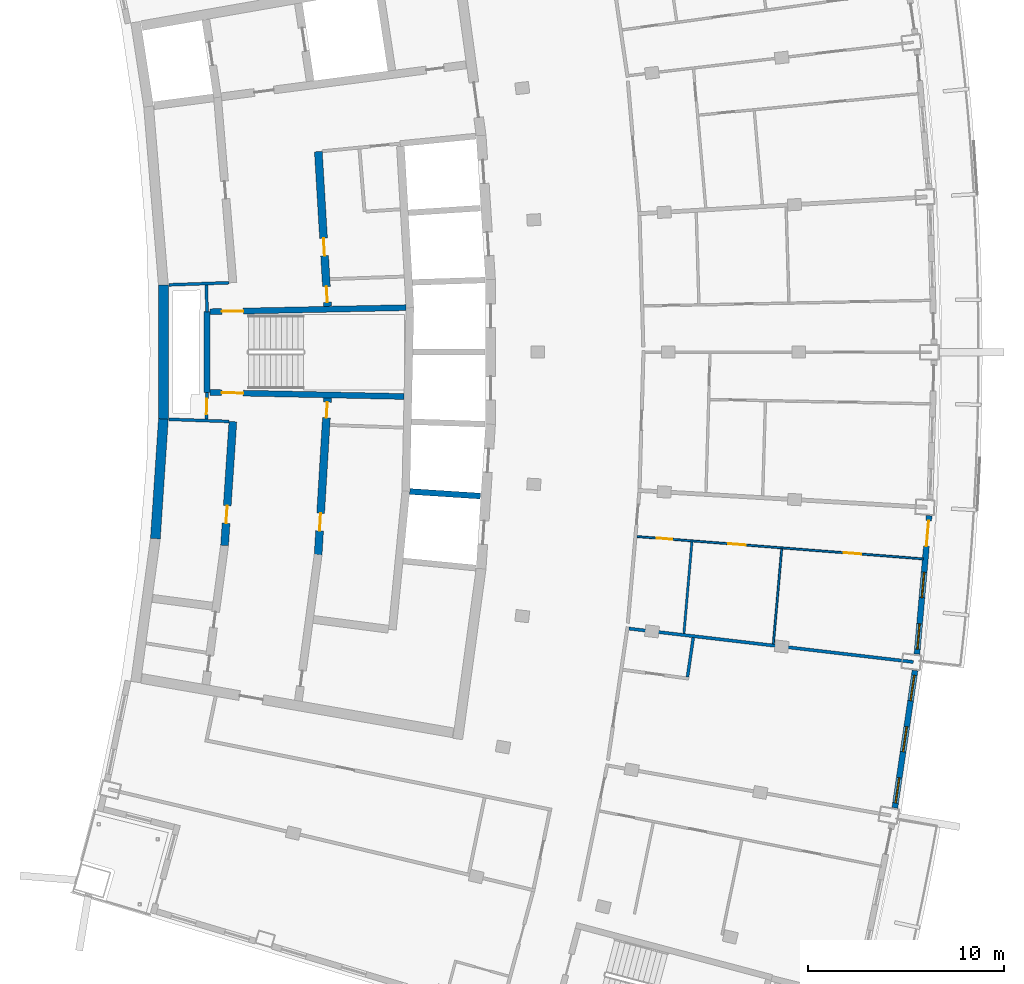
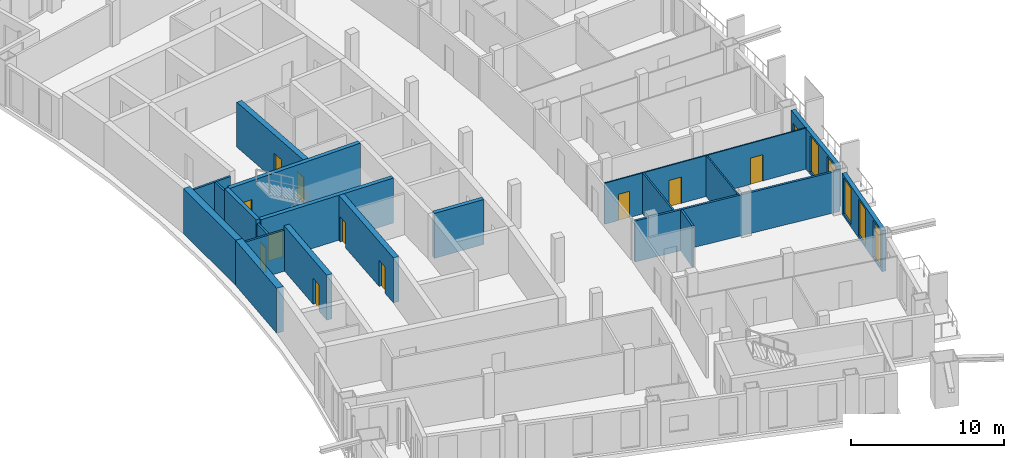
# One storey, part 7 of 15: 20 walls, 12 doors, 5 windows, 17 openings.
"""IFC4 building model written with IfcOpenShell, lengths in metres."""

from ifc_helpers import new_model, si_unit, direction, frame, frame_2d, origin, place, context, subcontext, project, spatial, rectangle, extrude, material, layer, layer_set, type_object, element, fill, save


model = new_model("IFC4")

# Units and contexts
model_context = context("Model", 3, precision=1e-05, world=origin(), true_north=direction((0.0, 1.0)))
body_context = subcontext(model_context, "Body", "Model", "MODEL_VIEW")
ifc_project = project(units=[si_unit("LENGTHUNIT", "METRE"), si_unit("AREAUNIT", "SQUARE_METRE"), si_unit("VOLUMEUNIT", "CUBIC_METRE"), si_unit("PLANEANGLEUNIT", "RADIAN"), si_unit("MASSUNIT", "GRAM", prefix="KILO")], contexts=[model_context])

# Site, building, storey
site_placement = place(None, origin())
site = spatial("IfcSite", under=ifc_project, at=site_placement, CompositionType="ELEMENT")
building_placement = place(site_placement, origin())
building = spatial("IfcBuilding", under=site, at=building_placement, Name="Alderwake Tower", CompositionType="ELEMENT")
storey_placement = place(building_placement, frame((0.0, 0.0, 285.199951171875)))
storey = spatial("IfcBuildingStorey", under=building, at=storey_placement, Name="L71", CompositionType="ELEMENT", Elevation=285.199951171875)

# Wall, opening, door
ifc_material_1 = material(Name="Gypsum shaft wall system, rated")
ifc_layer_1 = layer(ifc_material_1, 0.14990234375)
ifc_layer_set_1 = layer_set([ifc_layer_1], Name="Core room partition 150")
wall_type_1 = type_object("IfcWallType", Name="Core room partition 150", PredefinedType="PARTITIONING", material=ifc_layer_set_1)
wall_1_placement = place(storey_placement, frame((18.918701171875, 58.94384765625, 0.0), z_axis=(0.0, 0.0, 1.0), x_axis=(-0.027811602725, -0.999613182563, 0.0)))
wall_1 = element("IfcWall", 1, at=wall_1_placement, inside=storey, type_object=wall_type_1, Name="CW/L71/PA+24_-37", PredefinedType="PARTITIONING", context=body_context, shape_type="SweptSolid", body=[
    extrude(rectangle(XDim=1.369384765625, YDim=0.14990234375, at=frame_2d((0.6845703125, 0.0))), origin(), (0.0, 0.0, 1.0), 3.280029296875),
])
opening_1_placement = place(wall_1_placement, frame((0.322998046875, 0.0, 0.0)))
opening_1 = element("IfcOpeningElement", 2, at=opening_1_placement, cuts=wall_1, Name="Opening C004", PredefinedType="OPENING", context=body_context, shape_type="SweptSolid", body=[
    extrude(rectangle(XDim=0.800048828125, YDim=2.0, at=frame_2d((0.39990234375, 1.0))), frame((0.0, 0.0849609375, 0.0), z_axis=(0.0, -1.0, 0.0), x_axis=(1.0, 0.0, 0.0)), (0.0, 0.0, 1.0), 0.169921875),
])
ifc_material_2 = material(Name="Painted steel leaf, rated", Category="steel")
door_type_1 = type_object("IfcDoorType", Name="Riser access door 800", OperationType="SINGLE_SWING_LEFT", PredefinedType="DOOR", material=ifc_material_2)
door_1_placement = place(opening_1_placement, origin())
door_1 = element("IfcDoor", 3, at=door_1_placement, inside=storey, type_object=door_type_1, Name="Riser access door", OperationType="SINGLE_SWING_RIGHT", OverallHeight=2.0, OverallWidth=0.800048828125, PredefinedType="DOOR", context=body_context, shape_type="SweptSolid", body=[
    extrude(rectangle(XDim=0.800048828125, YDim=2.0, at=frame_2d((0.39990234375, 1.0))), frame((0.0, 0.02490234375, 0.0), z_axis=(0.0, -1.0, 0.0), x_axis=(1.0, 0.0, 0.0)), (0.0, 0.0, 1.0), 0.050048828125),
])
fill(opening_1, door_1)

# Walls
wall_2_placement = place(storey_placement, frame((18.918701171875, 63.05517578125, 0.0), z_axis=(0.0, 0.0, 1.0), x_axis=(-0.027791791559, 0.99961373356, 0.0)))
element("IfcWall", 4, at=wall_2_placement, inside=storey, type_object=wall_type_1, Name="CW/L71/PA+24_+22", PredefinedType="PARTITIONING", context=body_context, shape_type="SweptSolid", body=[
    extrude(rectangle(XDim=1.370361328125, YDim=0.14990234375, at=frame_2d((0.68505859375, 0.0))), origin(), (0.0, 0.0, 1.0), 3.280029296875),
])
for number, where, z_axis, x_axis, name in (
    (5, (16.969482421875, 57.5673828125, 0.0), (0.0, 0.0, 1.0), (0.999376258731, -0.035314210814, 0.0), "CW/L71/PR-37_+0"),
    (6, (16.969482421875, 64.4326171875, 0.0), (0.0, 0.0, 1.0), (0.999376258731, 0.035314210814, 0.0), "CW/L71/PR+37_+0"),
):
    element("IfcWall", number, at=place(storey_placement, frame(where, z_axis=z_axis, x_axis=x_axis)), inside=storey, type_object=wall_type_1, Name=name, PredefinedType="PARTITIONING", context=body_context, shape_type="SweptSolid", body=[
        extrude(rectangle(XDim=3.069580078125, YDim=0.14990234375, at=frame_2d((1.53466796875, 0.0))), origin(), (0.0, 0.0, 1.0), 3.280029296875),
    ])
ifc_material_3 = material(Name="Concrete C70/85", Category="concrete")
ifc_layer_2 = layer(ifc_material_3, 0.5)
ifc_layer_set_2 = layer_set([ifc_layer_2], Name="Core wall outer 500 C70-85")
wall_type_2 = type_object("IfcWallType", Name="Core wall outer 500 C70-85", PredefinedType="SHEAR", material=ifc_layer_set_2)
wall_3_placement = place(storey_placement, frame((16.280517578125, 51.4765625, 0.0), z_axis=(0.0, 0.0, 1.0), x_axis=(0.066863022947, 0.997762164127, 0.0)))
element("IfcWall", 7, at=wall_3_placement, inside=storey, type_object=wall_type_2, Name="Core wall CW.027", PredefinedType="SHEAR", context=body_context, shape_type="SweptSolid", body=[
    extrude(rectangle(XDim=6.123291015625, YDim=0.5, at=frame_2d((3.0615234375, 0.0))), origin(), (0.0, 0.0, 1.0), 3.60009765625),
])
wall_4_placement = place(storey_placement, frame((16.689453125, 57.568603515625, 0.0), z_axis=(0.0, 0.0, 1.0), x_axis=(0.0, 1.0, 0.0)))
element("IfcWall", 8, at=wall_4_placement, inside=storey, type_object=wall_type_2, Name="Core wall CW.029", PredefinedType="SHEAR", context=body_context, shape_type="SweptSolid", body=[
    extrude(rectangle(XDim=6.86474609375, YDim=0.5, at=frame_2d((3.432373046875, 0.0))), origin(), (0.0, 0.0, 1.0), 3.60009765625),
])
ifc_material_4 = material(Name="Concrete C70/85", Category="concrete")
ifc_layer_3 = layer(ifc_material_4, 0.300048828125)
ifc_layer_set_3 = layer_set([ifc_layer_3], Name="Core wall shaft 300 C70-85")
wall_type_3 = type_object("IfcWallType", Name="Core wall shaft 300 C70-85", PredefinedType="SHEAR", material=ifc_layer_set_3)
wall_5_placement = place(storey_placement, frame((29.268798828125, 53.884521484375, 0.0), z_axis=(0.0, 0.0, 1.0), x_axis=(0.997885735437, -0.064992761217, 0.0)))
element("IfcWall", 9, at=wall_5_placement, inside=storey, type_object=wall_type_3, Name="Core wall CW.078", PredefinedType="SHEAR", context=body_context, shape_type="SweptSolid", body=[
    extrude(rectangle(XDim=3.60986328125, YDim=0.300048828125, at=frame_2d((1.804931640625, 0.0))), origin(), (0.0, 0.0, 1.0), 3.60009765625),
])

# Wall, opening, door
ifc_material_5 = material(Name="Concrete C70/85", Category="concrete")
ifc_layer_4 = layer(ifc_material_5, 0.39990234375)
ifc_layer_set_4 = layer_set([ifc_layer_4], Name="Core wall spine 400 C70-85")
wall_type_4 = type_object("IfcWallType", Name="Core wall spine 400 C70-85", PredefinedType="SHEAR", material=ifc_layer_set_4)
wall_6_placement = place(storey_placement, frame((20.2373046875, 57.451904296875, 0.0), z_axis=(0.0, 0.0, 1.0), x_axis=(-0.066884681503, -0.997760712486, 0.0)))
wall_6 = element("IfcWall", 10, at=wall_6_placement, inside=storey, type_object=wall_type_4, Name="Core wall CW.032", PredefinedType="SHEAR", context=body_context, shape_type="SweptSolid", body=[
    extrude(rectangle(XDim=6.336669921875, YDim=0.39990234375, at=frame_2d((3.16845703125, 0.0))), origin(), (0.0, 0.0, 1.0), 3.60009765625),
])
opening_2_placement = place(wall_6_placement, frame((4.29736328125, 0.0, 0.0)))
opening_2 = element("IfcOpeningElement", 11, at=opening_2_placement, cuts=wall_6, Name="Opening C037", PredefinedType="OPENING", context=body_context, shape_type="SweptSolid", body=[
    extrude(rectangle(XDim=0.89990234375, YDim=2.10009765625, at=frame_2d((0.449951171875, 1.050048828125))), frame((0.0, 0.2099609375, 0.0), z_axis=(0.0, -1.0, 0.0), x_axis=(1.0, 0.0, 0.0)), (0.0, 0.0, 1.0), 0.419921875),
])
ifc_material_6 = material(Name="Painted steel leaf", Category="steel")
door_type_2 = type_object("IfcDoorType", Name="Core room door 900", OperationType="SINGLE_SWING_LEFT", PredefinedType="DOOR", material=ifc_material_6)
door_2_placement = place(opening_2_placement, origin())
door_2 = element("IfcDoor", 12, at=door_2_placement, inside=storey, type_object=door_type_2, Name="Room door", OperationType="SINGLE_SWING_RIGHT", OverallHeight=2.10009765625, OverallWidth=0.89990234375, PredefinedType="DOOR", context=body_context, shape_type="SweptSolid", body=[
    extrude(rectangle(XDim=0.89990234375, YDim=2.10009765625, at=frame_2d((0.449951171875, 1.050048828125))), frame((0.0, 0.02490234375, 0.0), z_axis=(0.0, -1.0, 0.0), x_axis=(1.0, 0.0, 0.0)), (0.0, 0.0, 1.0), 0.050048828125),
])
fill(opening_2, door_2)

# Wall, openings, doors
wall_7_placement = place(storey_placement, frame((24.590087890625, 50.65673828125, 0.0), z_axis=(0.0, 0.0, 1.0), x_axis=(0.060318641452, 0.998179173041, 0.0)))
wall_7 = element("IfcWall", 13, at=wall_7_placement, inside=storey, type_object=wall_type_4, Name="Core wall CW.046", PredefinedType="SHEAR", context=body_context, shape_type="SweptSolid", body=[
    extrude(rectangle(XDim=8.022216796875, YDim=0.39990234375, at=frame_2d((4.01123046875, 0.0))), origin(), (0.0, 0.0, 1.0), 3.60009765625),
])
opening_3_placement = place(wall_7_placement, frame((7.006103515625, 0.0, 0.0)))
opening_3 = element("IfcOpeningElement", 14, at=opening_3_placement, cuts=wall_7, Name="Opening C006", PredefinedType="OPENING", context=body_context, shape_type="SweptSolid", body=[
    extrude(rectangle(XDim=0.800048828125, YDim=2.0, at=frame_2d((0.39990234375, 1.0))), frame((0.0, 0.2099609375, 0.0), z_axis=(0.0, -1.0, 0.0), x_axis=(1.0, 0.0, 0.0)), (0.0, 0.0, 1.0), 0.419921875),
])
opening_4_placement = place(wall_7_placement, frame((1.21533203125, 0.0, 0.0)))
opening_4 = element("IfcOpeningElement", 15, at=opening_4_placement, cuts=wall_7, Name="Opening C043", PredefinedType="OPENING", context=body_context, shape_type="SweptSolid", body=[
    extrude(rectangle(XDim=0.89990234375, YDim=2.10009765625, at=frame_2d((0.449951171875, 1.050048828125))), frame((0.0, 0.2099609375, 0.0), z_axis=(0.0, -1.0, 0.0), x_axis=(1.0, 0.0, 0.0)), (0.0, 0.0, 1.0), 0.419921875),
])
door_3_placement = place(opening_4_placement, origin())
door_3 = element("IfcDoor", 16, at=door_3_placement, inside=storey, type_object=door_type_2, Name="Room door", OperationType="SINGLE_SWING_LEFT", OverallHeight=2.10009765625, OverallWidth=0.89990234375, PredefinedType="DOOR", context=body_context, shape_type="SweptSolid", body=[
    extrude(rectangle(XDim=0.89990234375, YDim=2.10009765625, at=frame_2d((0.449951171875, 1.050048828125))), frame((0.0, 0.02490234375, 0.0), z_axis=(0.0, -1.0, 0.0), x_axis=(1.0, 0.0, 0.0)), (0.0, 0.0, 1.0), 0.050048828125),
])
fill(opening_4, door_3)
door_4_placement = place(opening_3_placement, origin())
door_4 = element("IfcDoor", 17, at=door_4_placement, inside=storey, type_object=door_type_1, Name="Riser access door", OperationType="SINGLE_SWING_RIGHT", OverallHeight=2.0, OverallWidth=0.800048828125, PredefinedType="DOOR", context=body_context, shape_type="SweptSolid", body=[
    extrude(rectangle(XDim=0.800048828125, YDim=2.0, at=frame_2d((0.39990234375, 1.0))), frame((0.0, 0.02490234375, 0.0), z_axis=(0.0, -1.0, 0.0), x_axis=(1.0, 0.0, 0.0)), (0.0, 0.0, 1.0), 0.050048828125),
])
fill(opening_3, door_4)

wall_8_placement = place(storey_placement, frame((25.073974609375, 63.335693359375, 0.0), z_axis=(0.0, 0.0, 1.0), x_axis=(-0.059848641072, 0.998207463487, 0.0)))
wall_8 = element("IfcWall", 18, at=wall_8_placement, inside=storey, type_object=wall_type_4, Name="Core wall CW.045", PredefinedType="SHEAR", context=body_context, shape_type="SweptSolid", body=[
    extrude(rectangle(XDim=7.913818359375, YDim=0.39990234375, at=frame_2d((3.95703125, 0.0))), origin(), (0.0, 0.0, 1.0), 3.60009765625),
])
opening_5_placement = place(wall_8_placement, frame((0.216064453125, 0.0, 0.0)))
opening_5 = element("IfcOpeningElement", 19, at=opening_5_placement, cuts=wall_8, Name="Opening C005", PredefinedType="OPENING", context=body_context, shape_type="SweptSolid", body=[
    extrude(rectangle(XDim=0.800048828125, YDim=2.0, at=frame_2d((0.39990234375, 1.0))), frame((0.0, 0.2099609375, 0.0), z_axis=(0.0, -1.0, 0.0), x_axis=(1.0, 0.0, 0.0)), (0.0, 0.0, 1.0), 0.419921875),
])
opening_6_placement = place(wall_8_placement, frame((2.590087890625, 0.0, 0.0)))
opening_6 = element("IfcOpeningElement", 20, at=opening_6_placement, cuts=wall_8, Name="Opening C058", PredefinedType="OPENING", context=body_context, shape_type="SweptSolid", body=[
    extrude(rectangle(XDim=0.89990234375, YDim=2.10009765625, at=frame_2d((0.449951171875, 1.050048828125))), frame((0.0, 0.2099609375, 0.0), z_axis=(0.0, -1.0, 0.0), x_axis=(1.0, 0.0, 0.0)), (0.0, 0.0, 1.0), 0.419921875),
])
door_5_placement = place(opening_6_placement, origin())
door_5 = element("IfcDoor", 21, at=door_5_placement, inside=storey, type_object=door_type_2, Name="Room door", OperationType="SINGLE_SWING_LEFT", OverallHeight=2.10009765625, OverallWidth=0.89990234375, PredefinedType="DOOR", context=body_context, shape_type="SweptSolid", body=[
    extrude(rectangle(XDim=0.89990234375, YDim=2.10009765625, at=frame_2d((0.449951171875, 1.050048828125))), frame((0.0, 0.02490234375, 0.0), z_axis=(0.0, -1.0, 0.0), x_axis=(1.0, 0.0, 0.0)), (0.0, 0.0, 1.0), 0.050048828125),
])
fill(opening_6, door_5)
door_6_placement = place(opening_5_placement, origin())
door_6 = element("IfcDoor", 22, at=door_6_placement, inside=storey, type_object=door_type_1, Name="Riser access door", OperationType="SINGLE_SWING_LEFT", OverallHeight=2.0, OverallWidth=0.800048828125, PredefinedType="DOOR", context=body_context, shape_type="SweptSolid", body=[
    extrude(rectangle(XDim=0.800048828125, YDim=2.0, at=frame_2d((0.39990234375, 1.0))), frame((0.0, 0.02490234375, 0.0), z_axis=(0.0, -1.0, 0.0), x_axis=(1.0, 0.0, 0.0)), (0.0, 0.0, 1.0), 0.050048828125),
])
fill(opening_5, door_6)

# Wall
ifc_material_7 = material(Name="Concrete C70/85", Category="concrete")
ifc_layer_5 = layer(ifc_material_7, 0.300048828125)
ifc_layer_set_5 = layer_set([ifc_layer_5], Name="Core wall stair enclosure 300 C70-85")
wall_type_5 = type_object("IfcWallType", Name="Core wall stair enclosure 300 C70-85", PredefinedType="SHEAR", material=ifc_layer_set_5)
wall_9_placement = place(storey_placement, frame((18.918701171875, 58.940673828125, 0.0), z_axis=(0.0, 0.0, 1.0), x_axis=(0.0, 1.0, 0.0)))
element("IfcWall", 23, at=wall_9_placement, inside=storey, type_object=wall_type_5, Name="Core wall CW.024", PredefinedType="SHEAR", context=body_context, shape_type="SweptSolid", body=[
    extrude(rectangle(XDim=4.11962890625, YDim=0.300048828125, at=frame_2d((2.059814453125, 0.0))), origin(), (0.0, 0.0, 1.0), 3.60009765625),
])

# Wall, opening, door
wall_10_placement = place(storey_placement, frame((28.975830078125, 58.733154296875, 0.0), z_axis=(0.0, 0.0, 1.0), x_axis=(-0.999783782948, 0.020793925895, 0.0)))
wall_10 = element("IfcWall", 24, at=wall_10_placement, inside=storey, type_object=wall_type_5, Name="Core wall CW.074", PredefinedType="SHEAR", context=body_context, shape_type="SweptSolid", body=[
    extrude(rectangle(XDim=9.909423828125, YDim=0.300048828125, at=frame_2d((4.95458984375, 0.0))), origin(), (0.0, 0.0, 1.0), 3.60009765625),
])
opening_7_placement = place(wall_10_placement, frame((8.20947265625, 0.0, 0.0)))
opening_7 = element("IfcOpeningElement", 25, at=opening_7_placement, cuts=wall_10, Name="Opening C063", PredefinedType="OPENING", context=body_context, shape_type="SweptSolid", body=[
    extrude(rectangle(XDim=1.10009765625, YDim=2.10009765625, at=frame_2d((0.550048828125, 1.050048828125))), frame((0.0, 0.159912109375, 0.0), z_axis=(0.0, -1.0, 0.0), x_axis=(1.0, 0.0, 0.0)), (0.0, 0.0, 1.0), 0.320068359375),
])
ifc_material_8 = material(Name="Steel-framed fire door leaf", Category="steel")
door_type_3 = type_object("IfcDoorType", Name="Core stair door 1100 fire-rated", OperationType="SINGLE_SWING_LEFT", PredefinedType="DOOR", material=ifc_material_8)
door_7_placement = place(opening_7_placement, origin())
door_7 = element("IfcDoor", 26, at=door_7_placement, inside=storey, type_object=door_type_3, Name="Stair door", OperationType="SINGLE_SWING_LEFT", OverallHeight=2.10009765625, OverallWidth=1.10009765625, PredefinedType="DOOR", context=body_context, shape_type="SweptSolid", body=[
    extrude(rectangle(XDim=1.10009765625, YDim=2.10009765625, at=frame_2d((0.550048828125, 1.050048828125))), frame((0.0, 0.02490234375, 0.0), z_axis=(0.0, -1.0, 0.0), x_axis=(1.0, 0.0, 0.0)), (0.0, 0.0, 1.0), 0.050048828125),
])
fill(opening_7, door_7)

wall_11_placement = place(storey_placement, frame((19.068603515625, 63.060791015625, 0.0), z_axis=(0.0, 0.0, 1.0), x_axis=(0.999783553773, 0.02080494185, 0.0)))
wall_11 = element("IfcWall", 27, at=wall_11_placement, inside=storey, type_object=wall_type_5, Name="Core wall CW.057", PredefinedType="SHEAR", context=body_context, shape_type="SweptSolid", body=[
    extrude(rectangle(XDim=10.009765625, YDim=0.300048828125, at=frame_2d((5.0048828125, 0.0))), origin(), (0.0, 0.0, 1.0), 3.60009765625),
])
opening_8_placement = place(wall_11_placement, frame((0.60009765625, 0.0, 0.0)))
opening_8 = element("IfcOpeningElement", 28, at=opening_8_placement, cuts=wall_11, Name="Opening C064", PredefinedType="OPENING", context=body_context, shape_type="SweptSolid", body=[
    extrude(rectangle(XDim=1.10009765625, YDim=2.10009765625, at=frame_2d((0.550048828125, 1.050048828125))), frame((0.0, 0.159912109375, 0.0), z_axis=(0.0, -1.0, 0.0), x_axis=(1.0, 0.0, 0.0)), (0.0, 0.0, 1.0), 0.320068359375),
])
door_8_placement = place(opening_8_placement, origin())
door_8 = element("IfcDoor", 29, at=door_8_placement, inside=storey, type_object=door_type_3, Name="Stair door", OperationType="SINGLE_SWING_RIGHT", OverallHeight=2.10009765625, OverallWidth=1.10009765625, PredefinedType="DOOR", context=body_context, shape_type="SweptSolid", body=[
    extrude(rectangle(XDim=1.10009765625, YDim=2.10009765625, at=frame_2d((0.550048828125, 1.050048828125))), frame((0.0, 0.02490234375, 0.0), z_axis=(0.0, -1.0, 0.0), x_axis=(1.0, 0.0, 0.0)), (0.0, 0.0, 1.0), 0.050048828125),
])
fill(opening_8, door_8)

# Wall
ifc_material_9 = material(Name="Gypsum board on metal studs, rated")
ifc_layer_6 = layer(ifc_material_9, 0.159912109375)
ifc_layer_set_6 = layer_set([ifc_layer_6], Name="Corridor wall 160")
wall_type_6 = type_object("IfcWallType", Name="Corridor wall 160", PredefinedType="PARTITIONING", material=ifc_layer_set_6)
wall_12_placement = place(storey_placement, frame((54.97509765625, 45.179931640625, 0.0), z_axis=(0.0, 0.0, 1.0), x_axis=(-0.993183966039, 0.116557323249, 0.0)))
element("IfcWall", 30, at=wall_12_placement, inside=storey, type_object=wall_type_6, Name="WL/L71/W27", PredefinedType="PARTITIONING", context=body_context, shape_type="SweptSolid", body=[
    extrude(rectangle(XDim=14.6181640625, YDim=0.159912109375, at=frame_2d((7.30908203125, 0.0))), origin(), (0.0, 0.0, 1.0), 3.280029296875),
])

# Wall, openings, windows
ifc_material_10 = material(Name="Precast concrete C50/60 spandrel panel", Category="concrete")
ifc_layer_7 = layer(ifc_material_10, 0.300048828125)
ifc_layer_set_7 = layer_set([ifc_layer_7], Name="External wall EW1 Precast concrete C50/60 spandrel")
wall_type_7 = type_object("IfcWallType", Name="External wall EW1 Precast concrete C50/60 spandrel", PredefinedType="SOLIDWALL", material=ifc_layer_set_7)
wall_13_placement = place(storey_placement, frame((54.033203125, 37.729736328125, 0.0), z_axis=(0.0, 0.0, 1.0), x_axis=(0.145309647342, 0.989386227107, 0.0)))
wall_13 = element("IfcWall", 31, at=wall_13_placement, inside=storey, type_object=wall_type_7, Name="External wall 13", PredefinedType="SOLIDWALL", context=body_context, shape_type="SweptSolid", body=[
    extrude(rectangle(XDim=7.091796875, YDim=0.300048828125, at=frame_2d((3.5458984375, 0.0))), origin(), (0.0, 0.0, 1.0), 3.280029296875),
])
opening_9_placement = place(wall_13_placement, frame((0.255615234375, 0.0, 0.199951171875)))
opening_9 = element("IfcOpeningElement", 32, at=opening_9_placement, cuts=wall_13, Name="Opening W1", PredefinedType="OPENING", context=body_context, shape_type="SweptSolid", body=[
    extrude(rectangle(XDim=1.300048828125, YDim=2.89990234375, at=frame_2d((0.64990234375, 1.449951171875))), frame((0.0, 0.159912109375, 0.0), z_axis=(0.0, -1.0, 0.0), x_axis=(1.0, 0.0, 0.0)), (0.0, 0.0, 1.0), 0.320068359375),
])
opening_10_placement = place(wall_13_placement, frame((2.89599609375, 0.0, 0.199951171875)))
opening_10 = element("IfcOpeningElement", 33, at=opening_10_placement, cuts=wall_13, Name="Opening W1", PredefinedType="OPENING", context=body_context, shape_type="SweptSolid", body=[
    extrude(rectangle(XDim=1.300048828125, YDim=2.89990234375, at=frame_2d((0.64990234375, 1.449951171875))), frame((0.0, 0.159912109375, 0.0), z_axis=(0.0, -1.0, 0.0), x_axis=(1.0, 0.0, 0.0)), (0.0, 0.0, 1.0), 0.320068359375),
])
opening_11_placement = place(wall_13_placement, frame((5.5361328125, 0.0, 0.199951171875)))
opening_11 = element("IfcOpeningElement", 34, at=opening_11_placement, cuts=wall_13, Name="Opening W1", PredefinedType="OPENING", context=body_context, shape_type="SweptSolid", body=[
    extrude(rectangle(XDim=1.300048828125, YDim=2.89990234375, at=frame_2d((0.64990234375, 1.449951171875))), frame((0.0, 0.159912109375, 0.0), z_axis=(0.0, -1.0, 0.0), x_axis=(1.0, 0.0, 0.0)), (0.0, 0.0, 1.0), 0.320068359375),
])
ifc_material_11 = material(Name="Bronze tinted glass in aluminium frame", Category="aluminium")
window_type = type_object("IfcWindowType", Name="Window W1 tall fixed and vent", PartitioningType="DOUBLE_PANEL_VERTICAL", PredefinedType="WINDOW", material=ifc_material_11)
window_1_placement = place(opening_9_placement, origin())
window_1 = element("IfcWindow", 35, at=window_1_placement, inside=storey, type_object=window_type, Name="Window W1 tall fixed and vent", OverallHeight=2.89990234375, OverallWidth=1.300048828125, PartitioningType="DOUBLE_PANEL_VERTICAL", PredefinedType="WINDOW", context=body_context, shape_type="SweptSolid", body=[
    extrude(rectangle(XDim=1.300048828125, YDim=2.89990234375, at=frame_2d((0.64990234375, 1.449951171875))), frame((0.0, 0.030029296875, 0.0), z_axis=(0.0, -1.0, 0.0), x_axis=(1.0, 0.0, 0.0)), (0.0, 0.0, 1.0), 0.06005859375),
])
fill(opening_9, window_1)
window_2_placement = place(opening_10_placement, origin())
window_2 = element("IfcWindow", 36, at=window_2_placement, inside=storey, type_object=window_type, Name="Window W1 tall fixed and vent", OverallHeight=2.89990234375, OverallWidth=1.300048828125, PartitioningType="DOUBLE_PANEL_VERTICAL", PredefinedType="WINDOW", context=body_context, shape_type="SweptSolid", body=[
    extrude(rectangle(XDim=1.300048828125, YDim=2.89990234375, at=frame_2d((0.64990234375, 1.449951171875))), frame((0.0, 0.030029296875, 0.0), z_axis=(0.0, -1.0, 0.0), x_axis=(1.0, 0.0, 0.0)), (0.0, 0.0, 1.0), 0.06005859375),
])
fill(opening_10, window_2)
window_3_placement = place(opening_11_placement, origin())
window_3 = element("IfcWindow", 37, at=window_3_placement, inside=storey, type_object=window_type, Name="Window W1 tall fixed and vent", OverallHeight=2.89990234375, OverallWidth=1.300048828125, PartitioningType="DOUBLE_PANEL_VERTICAL", PredefinedType="WINDOW", context=body_context, shape_type="SweptSolid", body=[
    extrude(rectangle(XDim=1.300048828125, YDim=2.89990234375, at=frame_2d((0.64990234375, 1.449951171875))), frame((0.0, 0.030029296875, 0.0), z_axis=(0.0, -1.0, 0.0), x_axis=(1.0, 0.0, 0.0)), (0.0, 0.0, 1.0), 0.06005859375),
])
fill(opening_11, window_3)

# Wall, openings, door, windows
wall_14_placement = place(storey_placement, frame((55.162109375, 45.58349609375, 0.0), z_axis=(0.0, 0.0, 1.0), x_axis=(0.087372360108, 0.996175722796, 0.0)))
wall_14 = element("IfcWall", 38, at=wall_14_placement, inside=storey, type_object=wall_type_7, Name="External wall 14", PredefinedType="SOLIDWALL", context=body_context, shape_type="SweptSolid", body=[
    extrude(rectangle(XDim=7.091796875, YDim=0.300048828125, at=frame_2d((3.5458984375, 0.0))), origin(), (0.0, 0.0, 1.0), 3.280029296875),
])
opening_12_placement = place(wall_14_placement, frame((0.255615234375, 0.0, 0.199951171875)))
opening_12 = element("IfcOpeningElement", 39, at=opening_12_placement, cuts=wall_14, Name="Opening W1", PredefinedType="OPENING", context=body_context, shape_type="SweptSolid", body=[
    extrude(rectangle(XDim=1.300048828125, YDim=2.89990234375, at=frame_2d((0.64990234375, 1.449951171875))), frame((0.0, 0.159912109375, 0.0), z_axis=(0.0, -1.0, 0.0), x_axis=(1.0, 0.0, 0.0)), (0.0, 0.0, 1.0), 0.320068359375),
])
opening_13_placement = place(wall_14_placement, frame((2.895751953125, 0.0, 0.199951171875)))
opening_13 = element("IfcOpeningElement", 40, at=opening_13_placement, cuts=wall_14, Name="Opening W1", PredefinedType="OPENING", context=body_context, shape_type="SweptSolid", body=[
    extrude(rectangle(XDim=1.300048828125, YDim=2.89990234375, at=frame_2d((0.64990234375, 1.449951171875))), frame((0.0, 0.159912109375, 0.0), z_axis=(0.0, -1.0, 0.0), x_axis=(1.0, 0.0, 0.0)), (0.0, 0.0, 1.0), 0.320068359375),
])
opening_14_placement = place(wall_14_placement, frame((5.535888671875, 0.0, 0.0)))
opening_14 = element("IfcOpeningElement", 41, at=opening_14_placement, cuts=wall_14, Name="Opening D03", PredefinedType="OPENING", context=body_context, shape_type="SweptSolid", body=[
    extrude(rectangle(XDim=1.300048828125, YDim=2.39990234375, at=frame_2d((0.64990234375, 1.199951171875))), frame((0.0, 0.159912109375, 0.0), z_axis=(0.0, -1.0, 0.0), x_axis=(1.0, 0.0, 0.0)), (0.0, 0.0, 1.0), 0.320068359375),
])
ifc_material_12 = material(Name="Bronze tinted glass in aluminium frame", Category="aluminium")
door_type_4 = type_object("IfcDoorType", Name="Balcony door BD sliding", OperationType="SLIDING_TO_LEFT", PredefinedType="DOOR", material=ifc_material_12)
door_9_placement = place(opening_14_placement, origin())
door_9 = element("IfcDoor", 42, at=door_9_placement, inside=storey, type_object=door_type_4, Name="Door D03", OperationType="SLIDING_TO_LEFT", OverallHeight=2.39990234375, OverallWidth=1.300048828125, PredefinedType="DOOR", context=body_context, shape_type="SweptSolid", body=[
    extrude(rectangle(XDim=1.300048828125, YDim=2.39990234375, at=frame_2d((0.64990234375, 1.199951171875))), frame((0.0, 0.02490234375, 0.0), z_axis=(0.0, -1.0, 0.0), x_axis=(1.0, 0.0, 0.0)), (0.0, 0.0, 1.0), 0.050048828125),
])
fill(opening_14, door_9)
window_4_placement = place(opening_12_placement, origin())
window_4 = element("IfcWindow", 43, at=window_4_placement, inside=storey, type_object=window_type, Name="Window W1 tall fixed and vent", OverallHeight=2.89990234375, OverallWidth=1.300048828125, PartitioningType="DOUBLE_PANEL_VERTICAL", PredefinedType="WINDOW", context=body_context, shape_type="SweptSolid", body=[
    extrude(rectangle(XDim=1.300048828125, YDim=2.89990234375, at=frame_2d((0.64990234375, 1.449951171875))), frame((0.0, 0.030029296875, 0.0), z_axis=(0.0, -1.0, 0.0), x_axis=(1.0, 0.0, 0.0)), (0.0, 0.0, 1.0), 0.06005859375),
])
fill(opening_12, window_4)
window_5_placement = place(opening_13_placement, origin())
window_5 = element("IfcWindow", 44, at=window_5_placement, inside=storey, type_object=window_type, Name="Window W1 tall fixed and vent", OverallHeight=2.89990234375, OverallWidth=1.300048828125, PartitioningType="DOUBLE_PANEL_VERTICAL", PredefinedType="WINDOW", context=body_context, shape_type="SweptSolid", body=[
    extrude(rectangle(XDim=1.300048828125, YDim=2.89990234375, at=frame_2d((0.64990234375, 1.449951171875))), frame((0.0, 0.030029296875, 0.0), z_axis=(0.0, -1.0, 0.0), x_axis=(1.0, 0.0, 0.0)), (0.0, 0.0, 1.0), 0.06005859375),
])
fill(opening_13, window_5)

# Wall
ifc_material_13 = material(Name="Gypsum shaft wall system, rated")
ifc_layer_8 = layer(ifc_material_13, 0.14990234375)
ifc_layer_set_8 = layer_set([ifc_layer_8], Name="Riser and shaft wall 150")
wall_type_8 = type_object("IfcWallType", Name="Riser and shaft wall 150", PredefinedType="PARTITIONING", material=ifc_layer_set_8)
wall_15_placement = place(storey_placement, frame((43.44775390625, 44.414306640625, 0.0), z_axis=(0.0, 0.0, 1.0), x_axis=(0.144577466262, 0.989493484693, 0.0)))
element("IfcWall", 45, at=wall_15_placement, inside=storey, type_object=wall_type_8, Name="WL/L71/W07", PredefinedType="PARTITIONING", context=body_context, shape_type="SweptSolid", body=[
    extrude(rectangle(XDim=2.024658203125, YDim=0.14990234375, at=frame_2d((1.01220703125, 0.0))), origin(), (0.0, 0.0, 1.0), 3.280029296875),
])

# Wall, openings, doors
ifc_material_14 = material(Name="Gypsum board on metal studs")
ifc_layer_9 = layer(ifc_material_14, 0.10009765625)
ifc_layer_set_9 = layer_set([ifc_layer_9], Name="Unit partition 100")
wall_type_9 = type_object("IfcWallType", Name="Unit partition 100", PredefinedType="PARTITIONING", material=ifc_layer_set_9)
wall_16_placement = place(storey_placement, frame((55.485107421875, 50.44189453125, 0.0), z_axis=(0.0, 0.0, 1.0), x_axis=(-0.996973122139, 0.077746985357, 0.0)))
wall_16 = element("IfcWall", 46, at=wall_16_placement, inside=storey, type_object=wall_type_9, Name="WL/L71/W45", PredefinedType="PARTITIONING", context=body_context, shape_type="SweptSolid", body=[
    extrude(rectangle(XDim=14.66162109375, YDim=0.10009765625, at=frame_2d((7.330810546875, 0.0))), origin(), (0.0, 0.0, 1.0), 3.280029296875),
])
opening_15_placement = place(wall_16_placement, frame((9.093994140625, 0.0, 0.0)))
opening_15 = element("IfcOpeningElement", 47, at=opening_15_placement, cuts=wall_16, Name="Opening R20-U04.1", PredefinedType="OPENING", context=body_context, shape_type="SweptSolid", body=[
    extrude(rectangle(XDim=0.89990234375, YDim=2.10009765625, at=frame_2d((0.449951171875, 1.050048828125))), frame((0.0, 0.06005859375, 0.0), z_axis=(0.0, -1.0, 0.0), x_axis=(1.0, 0.0, 0.0)), (0.0, 0.0, 1.0), 0.1201171875),
])
opening_16_placement = place(wall_16_placement, frame((12.85205078125, 0.0, 0.0)))
opening_16 = element("IfcOpeningElement", 48, at=opening_16_placement, cuts=wall_16, Name="Opening R20-U04.3", PredefinedType="OPENING", context=body_context, shape_type="SweptSolid", body=[
    extrude(rectangle(XDim=0.800048828125, YDim=2.10009765625, at=frame_2d((0.39990234375, 1.050048828125))), frame((0.0, 0.06005859375, 0.0), z_axis=(0.0, -1.0, 0.0), x_axis=(1.0, 0.0, 0.0)), (0.0, 0.0, 1.0), 0.1201171875),
])
opening_17_placement = place(wall_16_placement, frame((3.1728515625, 0.0, 0.0)))
opening_17 = element("IfcOpeningElement", 49, at=opening_17_placement, cuts=wall_16, Name="Opening R20-U04.4", PredefinedType="OPENING", context=body_context, shape_type="SweptSolid", body=[
    extrude(rectangle(XDim=0.89990234375, YDim=2.10009765625, at=frame_2d((0.449951171875, 1.050048828125))), frame((0.0, 0.06005859375, 0.0), z_axis=(0.0, -1.0, 0.0), x_axis=(1.0, 0.0, 0.0)), (0.0, 0.0, 1.0), 0.1201171875),
])
ifc_material_15 = material(Name="Painted timber leaf", Category="wood")
door_type_5 = type_object("IfcDoorType", Name="Bathroom door 800", OperationType="SINGLE_SWING_LEFT", PredefinedType="DOOR", material=ifc_material_15)
door_10_placement = place(opening_16_placement, origin())
door_10 = element("IfcDoor", 50, at=door_10_placement, inside=storey, type_object=door_type_5, Name="DR/L71/U04.3", OperationType="SINGLE_SWING_LEFT", OverallHeight=2.10009765625, OverallWidth=0.800048828125, PredefinedType="DOOR", context=body_context, shape_type="SweptSolid", body=[
    extrude(rectangle(XDim=0.800048828125, YDim=2.10009765625, at=frame_2d((0.39990234375, 1.050048828125))), frame((0.0, 0.02490234375, 0.0), z_axis=(0.0, -1.0, 0.0), x_axis=(1.0, 0.0, 0.0)), (0.0, 0.0, 1.0), 0.050048828125),
])
fill(opening_16, door_10)
ifc_material_16 = material(Name="Painted timber leaf", Category="wood")
door_type_6 = type_object("IfcDoorType", Name="Room door 900", OperationType="SINGLE_SWING_LEFT", PredefinedType="DOOR", material=ifc_material_16)
door_11_placement = place(opening_15_placement, origin())
door_11 = element("IfcDoor", 51, at=door_11_placement, inside=storey, type_object=door_type_6, Name="DR/L71/U04.1", OperationType="SINGLE_SWING_LEFT", OverallHeight=2.10009765625, OverallWidth=0.89990234375, PredefinedType="DOOR", context=body_context, shape_type="SweptSolid", body=[
    extrude(rectangle(XDim=0.89990234375, YDim=2.10009765625, at=frame_2d((0.449951171875, 1.050048828125))), frame((0.0, 0.02490234375, 0.0), z_axis=(0.0, -1.0, 0.0), x_axis=(1.0, 0.0, 0.0)), (0.0, 0.0, 1.0), 0.050048828125),
])
fill(opening_15, door_11)
door_12_placement = place(opening_17_placement, origin())
door_12 = element("IfcDoor", 52, at=door_12_placement, inside=storey, type_object=door_type_6, Name="DR/L71/U04.4", OperationType="SINGLE_SWING_LEFT", OverallHeight=2.10009765625, OverallWidth=0.89990234375, PredefinedType="DOOR", context=body_context, shape_type="SweptSolid", body=[
    extrude(rectangle(XDim=0.89990234375, YDim=2.10009765625, at=frame_2d((0.449951171875, 1.050048828125))), frame((0.0, 0.02490234375, 0.0), z_axis=(0.0, -1.0, 0.0), x_axis=(1.0, 0.0, 0.0)), (0.0, 0.0, 1.0), 0.050048828125),
])
fill(opening_17, door_12)

# Walls
wall_17_placement = place(storey_placement, frame((47.830078125, 46.099609375, 0.0), z_axis=(0.0, 0.0, 1.0), x_axis=(0.08753990397, 0.996161013699, 0.0)))
element("IfcWall", 53, at=wall_17_placement, inside=storey, type_object=wall_type_9, Name="WL/L71/W52", PredefinedType="PARTITIONING", context=body_context, shape_type="SweptSolid", body=[
    extrude(rectangle(XDim=4.872314453125, YDim=0.10009765625, at=frame_2d((2.43603515625, 0.0))), origin(), (0.0, 0.0, 1.0), 3.280029296875),
])
ifc_material_17 = material(Name="Moisture resistant gypsum board on metal studs")
ifc_layer_10 = layer(ifc_material_17, 0.1201171875)
ifc_layer_set_10 = layer_set([ifc_layer_10], Name="Wet room partition 120")
wall_type_10 = type_object("IfcWallType", Name="Wet room partition 120", PredefinedType="PARTITIONING", material=ifc_layer_set_10)
wall_18_placement = place(storey_placement, frame((43.263916015625, 46.6337890625, 0.0), z_axis=(0.0, 0.0, 1.0), x_axis=(0.087060499394, 0.996203026218, 0.0)))
element("IfcWall", 54, at=wall_18_placement, inside=storey, type_object=wall_type_10, Name="WL/L71/W36", PredefinedType="PARTITIONING", context=body_context, shape_type="SweptSolid", body=[
    extrude(rectangle(XDim=4.6943359375, YDim=0.1201171875, at=frame_2d((2.34716796875, 0.0))), origin(), (0.0, 0.0, 1.0), 3.280029296875),
])

save(model, "model.ifc")
